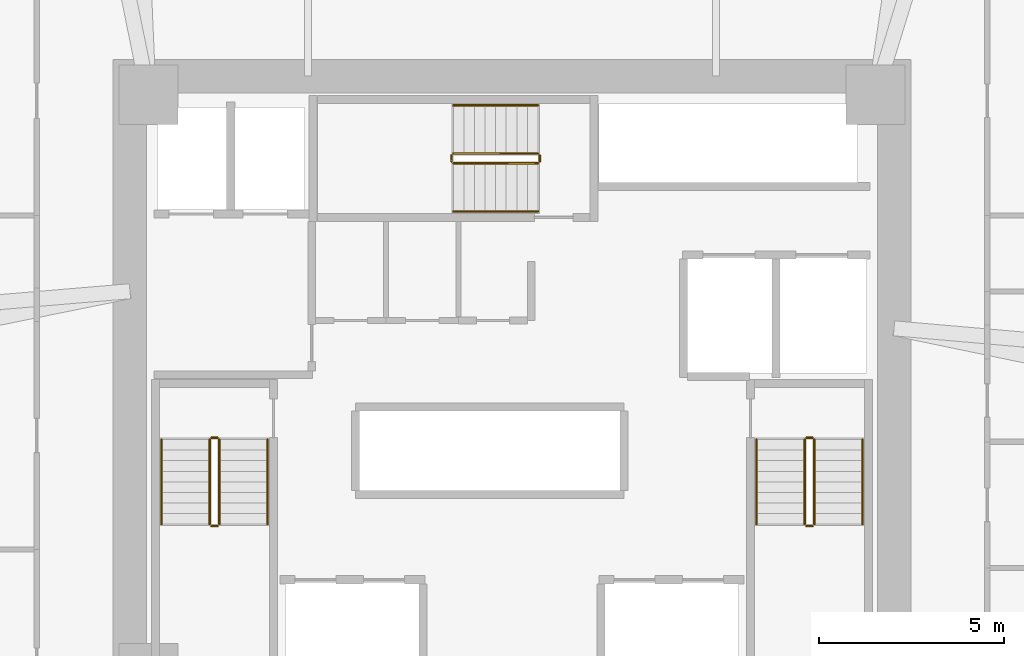
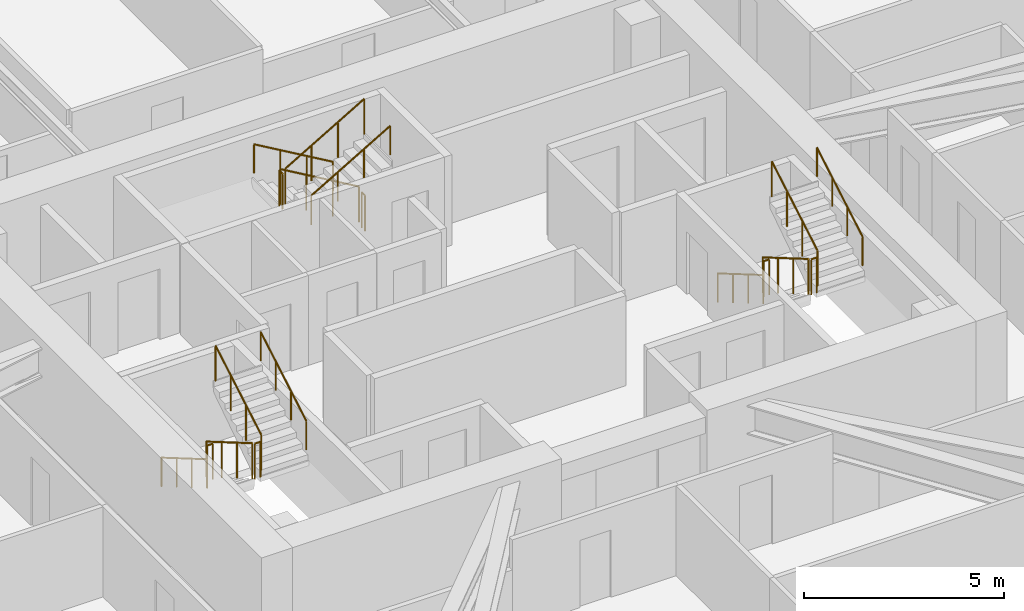
# One storey, part 18 of 18: 18 railings.
"""IFC4 building model written with IfcOpenShell, lengths in metres."""

from ifc_helpers import new_model, si_unit, direction, frame, origin, origin_2d, place, context, subcontext, project, spatial, circle, extrude, material, type_object, element, save


model = new_model("IFC4")

# Units and contexts
model_context = context("Model", 3, precision=1e-05, world=origin(), true_north=direction((0.0, 1.0)))
body_context = subcontext(model_context, "Body", "Model", "MODEL_VIEW")
ifc_project = project(units=[si_unit("LENGTHUNIT", "METRE"), si_unit("AREAUNIT", "SQUARE_METRE"), si_unit("VOLUMEUNIT", "CUBIC_METRE"), si_unit("PLANEANGLEUNIT", "RADIAN"), si_unit("MASSUNIT", "GRAM", prefix="KILO")], contexts=[model_context])

# Site, building, storey
site_placement = place(None, origin())
site = spatial("IfcSite", under=ifc_project, at=site_placement, CompositionType="ELEMENT")
building_placement = place(site_placement, origin())
building = spatial("IfcBuilding", under=site, at=building_placement, Name="Durnholm Broadcast Tower", CompositionType="ELEMENT")
storey_placement = place(building_placement, frame((0.0, 0.0, 78.300048828125)))
storey = spatial("IfcBuildingStorey", under=building, at=storey_placement, Name="L20", CompositionType="ELEMENT", Elevation=78.300048828125)

# Railings
ifc_material_1 = material(Name="Painted Tubular Steel Stair Guardrail", Category="steel")
railing_type_1 = type_object("IfcRailingType", Name="RAIL-ST-GRD", PredefinedType="GUARDRAIL", material=ifc_material_1)
railing_1_placement = place(storey_placement, frame((-8.14990234375, -1.5, 0.16650390625)))
element("IfcRailing", 1, at=railing_1_placement, inside=storey, type_object=railing_type_1, Name="L20 ST-1 stair guard 1", PredefinedType="GUARDRAIL", context=body_context, shape_type="SweptSolid", body=[
    extrude(circle(Radius=0.02392578125, at=origin_2d()), frame((0.0, 0.0, 1.076171875), z_axis=(0.0, -0.863205083432, 0.504853428173), x_axis=(1.0, 0.0, 0.0)), (0.0, 0.0, 1.0), 2.641357421875),
    extrude(circle(Radius=0.02099609375, at=origin_2d()), origin(), (0.0, 0.0, 1.0), 1.052001953125),
    extrude(circle(Radius=0.02099609375, at=origin_2d()), frame((0.0, -0.760009765625, 0.444580078125)), (0.0, 0.0, 1.0), 1.052001953125),
    extrude(circle(Radius=0.02099609375, at=origin_2d()), frame((0.0, -1.52001953125, 0.888916015625)), (0.0, 0.0, 1.0), 1.052001953125),
    extrude(circle(Radius=0.02099609375, at=origin_2d()), frame((0.0, -2.280029296875, 1.33349609375)), (0.0, 0.0, 1.0), 1.052001953125),
])
railing_2_placement = place(storey_placement, frame((-8.10009765625, -3.830078125, 1.5)))
element("IfcRailing", 2, at=railing_2_placement, inside=storey, type_object=railing_type_1, Name="L20 ST-1 stair guard 2", PredefinedType="GUARDRAIL", context=body_context, shape_type="SweptSolid", body=[
    extrude(circle(Radius=0.02392578125, at=origin_2d()), frame((0.0, 0.0, 1.076171875), z_axis=(1.0, 0.0, 0.0), x_axis=(0.0, 1.0, 0.0)), (0.0, 0.0, 1.0), 0.16015625),
    extrude(circle(Radius=0.02099609375, at=origin_2d()), origin(), (0.0, 0.0, 1.0), 1.052001953125),
    extrude(circle(Radius=0.02099609375, at=origin_2d()), frame((0.16015625, 0.0, 0.0)), (0.0, 0.0, 1.0), 1.052001953125),
])
railing_3_placement = place(storey_placement, frame((-7.889892578125, -3.780029296875, 1.66650390625)))
element("IfcRailing", 3, at=railing_3_placement, inside=storey, type_object=railing_type_1, Name="L20 ST-1 stair guard 3", PredefinedType="GUARDRAIL", context=body_context, shape_type="SweptSolid", body=[
    extrude(circle(Radius=0.02392578125, at=origin_2d()), frame((0.0, 0.0, 1.076171875), z_axis=(0.0, 0.863205083432, 0.504853428173), x_axis=(-1.0, 0.0, 0.0)), (0.0, 0.0, 1.0), 2.641357421875),
    extrude(circle(Radius=0.02099609375, at=origin_2d()), origin(), (0.0, 0.0, 1.0), 1.052001953125),
    extrude(circle(Radius=0.02099609375, at=origin_2d()), frame((0.0, 0.760009765625, 0.444580078125)), (0.0, 0.0, 1.0), 1.052001953125),
    extrude(circle(Radius=0.02099609375, at=origin_2d()), frame((0.0, 1.52001953125, 0.888916015625)), (0.0, 0.0, 1.0), 1.052001953125),
    extrude(circle(Radius=0.02099609375, at=origin_2d()), frame((0.0, 2.280029296875, 1.33349609375)), (0.0, 0.0, 1.0), 1.052001953125),
])
railing_4_placement = place(storey_placement, frame((-8.10009765625, -1.449951171875, 0.0)))
element("IfcRailing", 4, at=railing_4_placement, inside=storey, type_object=railing_type_1, Name="L20 ST-1 stair guard 4", PredefinedType="GUARDRAIL", context=body_context, shape_type="SweptSolid", body=[
    extrude(circle(Radius=0.02392578125, at=origin_2d()), frame((0.0, 0.0, 1.076171875), z_axis=(1.0, 0.0, 0.0), x_axis=(0.0, 1.0, 0.0)), (0.0, 0.0, 1.0), 0.16015625),
    extrude(circle(Radius=0.02099609375, at=origin_2d()), origin(), (0.0, 0.0, 1.0), 1.052001953125),
    extrude(circle(Radius=0.02099609375, at=origin_2d()), frame((0.16015625, 0.0, 0.0)), (0.0, 0.0, 1.0), 1.052001953125),
])
railing_5_placement = place(storey_placement, frame((7.889892578125, -1.5, 0.16650390625)))
element("IfcRailing", 5, at=railing_5_placement, inside=storey, type_object=railing_type_1, Name="L20 ST-2 stair guard 1", PredefinedType="GUARDRAIL", context=body_context, shape_type="SweptSolid", body=[
    extrude(circle(Radius=0.02392578125, at=origin_2d()), frame((0.0, 0.0, 1.076171875), z_axis=(0.0, -0.863205083432, 0.504853428173), x_axis=(1.0, 0.0, 0.0)), (0.0, 0.0, 1.0), 2.641357421875),
    extrude(circle(Radius=0.02099609375, at=origin_2d()), origin(), (0.0, 0.0, 1.0), 1.052001953125),
    extrude(circle(Radius=0.02099609375, at=origin_2d()), frame((0.0, -0.760009765625, 0.444580078125)), (0.0, 0.0, 1.0), 1.052001953125),
    extrude(circle(Radius=0.02099609375, at=origin_2d()), frame((0.0, -1.52001953125, 0.888916015625)), (0.0, 0.0, 1.0), 1.052001953125),
    extrude(circle(Radius=0.02099609375, at=origin_2d()), frame((0.0, -2.280029296875, 1.33349609375)), (0.0, 0.0, 1.0), 1.052001953125),
])
railing_6_placement = place(storey_placement, frame((7.93994140625, -3.830078125, 1.5)))
element("IfcRailing", 6, at=railing_6_placement, inside=storey, type_object=railing_type_1, Name="L20 ST-2 stair guard 2", PredefinedType="GUARDRAIL", context=body_context, shape_type="SweptSolid", body=[
    extrude(circle(Radius=0.02392578125, at=origin_2d()), frame((0.0, 0.0, 1.076171875), z_axis=(1.0, 0.0, 0.0), x_axis=(0.0, 1.0, 0.0)), (0.0, 0.0, 1.0), 0.16015625),
    extrude(circle(Radius=0.02099609375, at=origin_2d()), origin(), (0.0, 0.0, 1.0), 1.052001953125),
    extrude(circle(Radius=0.02099609375, at=origin_2d()), frame((0.16015625, 0.0, 0.0)), (0.0, 0.0, 1.0), 1.052001953125),
])
railing_7_placement = place(storey_placement, frame((8.14990234375, -3.780029296875, 1.66650390625)))
element("IfcRailing", 7, at=railing_7_placement, inside=storey, type_object=railing_type_1, Name="L20 ST-2 stair guard 3", PredefinedType="GUARDRAIL", context=body_context, shape_type="SweptSolid", body=[
    extrude(circle(Radius=0.02392578125, at=origin_2d()), frame((0.0, 0.0, 1.076171875), z_axis=(0.0, 0.863205083432, 0.504853428173), x_axis=(-1.0, 0.0, 0.0)), (0.0, 0.0, 1.0), 2.641357421875),
    extrude(circle(Radius=0.02099609375, at=origin_2d()), origin(), (0.0, 0.0, 1.0), 1.052001953125),
    extrude(circle(Radius=0.02099609375, at=origin_2d()), frame((0.0, 0.760009765625, 0.444580078125)), (0.0, 0.0, 1.0), 1.052001953125),
    extrude(circle(Radius=0.02099609375, at=origin_2d()), frame((0.0, 1.52001953125, 0.888916015625)), (0.0, 0.0, 1.0), 1.052001953125),
    extrude(circle(Radius=0.02099609375, at=origin_2d()), frame((0.0, 2.280029296875, 1.33349609375)), (0.0, 0.0, 1.0), 1.052001953125),
])
railing_8_placement = place(storey_placement, frame((7.93994140625, -1.449951171875, 0.0)))
element("IfcRailing", 8, at=railing_8_placement, inside=storey, type_object=railing_type_1, Name="L20 ST-2 stair guard 4", PredefinedType="GUARDRAIL", context=body_context, shape_type="SweptSolid", body=[
    extrude(circle(Radius=0.02392578125, at=origin_2d()), frame((0.0, 0.0, 1.076171875), z_axis=(1.0, 0.0, 0.0), x_axis=(0.0, 1.0, 0.0)), (0.0, 0.0, 1.0), 0.16015625),
    extrude(circle(Radius=0.02099609375, at=origin_2d()), origin(), (0.0, 0.0, 1.0), 1.052001953125),
    extrude(circle(Radius=0.02099609375, at=origin_2d()), frame((0.16015625, 0.0, 0.0)), (0.0, 0.0, 1.0), 1.052001953125),
])
railing_9_placement = place(storey_placement, frame((0.699951171875, 6.2099609375, 0.16650390625)))
element("IfcRailing", 9, at=railing_9_placement, inside=storey, type_object=railing_type_1, Name="L20 ST-3 stair guard 1", PredefinedType="GUARDRAIL", context=body_context, shape_type="SweptSolid", body=[
    extrude(circle(Radius=0.02392578125, at=origin_2d()), frame((0.0, 0.0, 1.076171875), z_axis=(-0.863205083432, 0.0, 0.504853428173), x_axis=(0.0, -1.0, 0.0)), (0.0, 0.0, 1.0), 2.641357421875),
    extrude(circle(Radius=0.02099609375, at=origin_2d()), origin(), (0.0, 0.0, 1.0), 1.052001953125),
    extrude(circle(Radius=0.02099609375, at=origin_2d()), frame((-0.760009765625, 0.0, 0.444580078125)), (0.0, 0.0, 1.0), 1.052001953125),
    extrude(circle(Radius=0.02099609375, at=origin_2d()), frame((-1.52001953125, 0.0, 0.888916015625)), (0.0, 0.0, 1.0), 1.052001953125),
    extrude(circle(Radius=0.02099609375, at=origin_2d()), frame((-2.280029296875, 0.0, 1.33349609375)), (0.0, 0.0, 1.0), 1.052001953125),
])
railing_10_placement = place(storey_placement, frame((-1.6298828125, 6.159912109375, 1.5)))
element("IfcRailing", 10, at=railing_10_placement, inside=storey, type_object=railing_type_1, Name="L20 ST-3 stair guard 2", PredefinedType="GUARDRAIL", context=body_context, shape_type="SweptSolid", body=[
    extrude(circle(Radius=0.02392578125, at=origin_2d()), frame((0.0, 0.0, 1.076171875), z_axis=(0.0, -1.0, 0.0), x_axis=(1.0, 0.0, 0.0)), (0.0, 0.0, 1.0), 0.159912109375),
    extrude(circle(Radius=0.02099609375, at=origin_2d()), origin(), (0.0, 0.0, 1.0), 1.052001953125),
    extrude(circle(Radius=0.02099609375, at=origin_2d()), frame((0.0, -0.159912109375, 0.0)), (0.0, 0.0, 1.0), 1.052001953125),
])
railing_11_placement = place(storey_placement, frame((-1.580078125, 5.949951171875, 1.66650390625)))
element("IfcRailing", 11, at=railing_11_placement, inside=storey, type_object=railing_type_1, Name="L20 ST-3 stair guard 3", PredefinedType="GUARDRAIL", context=body_context, shape_type="SweptSolid", body=[
    extrude(circle(Radius=0.02392578125, at=origin_2d()), frame((0.0, 0.0, 1.076171875), z_axis=(0.863205083432, 0.0, 0.504853428173), x_axis=(0.0, 1.0, 0.0)), (0.0, 0.0, 1.0), 2.641357421875),
    extrude(circle(Radius=0.02099609375, at=origin_2d()), origin(), (0.0, 0.0, 1.0), 1.052001953125),
    extrude(circle(Radius=0.02099609375, at=origin_2d()), frame((0.760009765625, 0.0, 0.444580078125)), (0.0, 0.0, 1.0), 1.052001953125),
    extrude(circle(Radius=0.02099609375, at=origin_2d()), frame((1.52001953125, 0.0, 0.888916015625)), (0.0, 0.0, 1.0), 1.052001953125),
    extrude(circle(Radius=0.02099609375, at=origin_2d()), frame((2.280029296875, 0.0, 1.33349609375)), (0.0, 0.0, 1.0), 1.052001953125),
])
railing_12_placement = place(storey_placement, frame((0.75, 6.159912109375, 0.0)))
element("IfcRailing", 12, at=railing_12_placement, inside=storey, type_object=railing_type_1, Name="L20 ST-3 stair guard 4", PredefinedType="GUARDRAIL", context=body_context, shape_type="SweptSolid", body=[
    extrude(circle(Radius=0.02392578125, at=origin_2d()), frame((0.0, 0.0, 1.076171875), z_axis=(0.0, -1.0, 0.0), x_axis=(1.0, 0.0, 0.0)), (0.0, 0.0, 1.0), 0.159912109375),
    extrude(circle(Radius=0.02099609375, at=origin_2d()), origin(), (0.0, 0.0, 1.0), 1.052001953125),
    extrude(circle(Radius=0.02099609375, at=origin_2d()), frame((0.0, -0.159912109375, 0.0)), (0.0, 0.0, 1.0), 1.052001953125),
])
ifc_material_2 = material(Name="Brushed Stainless Steel Handrail", Category="steel")
railing_type_2 = type_object("IfcRailingType", Name="RAIL-ST-HND", PredefinedType="HANDRAIL", material=ifc_material_2)
railing_13_placement = place(storey_placement, frame((-9.449951171875, -1.5, 0.333251953125)))
element("IfcRailing", 13, at=railing_13_placement, inside=storey, type_object=railing_type_2, Name="L20 ST-1 stair handrail 1", PredefinedType="HANDRAIL", context=body_context, shape_type="SweptSolid", body=[
    extrude(circle(Radius=0.02392578125, at=origin_2d()), frame((0.0, 0.0, 0.8759765625), z_axis=(0.0, -0.863245362884, 0.504784551527), x_axis=(1.0, 0.0, 0.0)), (0.0, 0.0, 1.0), 2.64111328125),
    extrude(circle(Radius=0.02099609375, at=origin_2d()), origin(), (0.0, 0.0, 1.0), 0.851806640625),
    extrude(circle(Radius=0.02099609375, at=origin_2d()), frame((0.0, -0.760009765625, 0.4443359375)), (0.0, 0.0, 1.0), 0.851806640625),
    extrude(circle(Radius=0.02099609375, at=origin_2d()), frame((0.0, -1.52001953125, 0.888916015625)), (0.0, 0.0, 1.0), 0.851806640625),
    extrude(circle(Radius=0.02099609375, at=origin_2d()), frame((0.0, -2.280029296875, 1.333251953125)), (0.0, 0.0, 1.0), 0.851806640625),
])
railing_14_placement = place(storey_placement, frame((-6.590087890625, -3.780029296875, 1.833251953125)))
element("IfcRailing", 14, at=railing_14_placement, inside=storey, type_object=railing_type_2, Name="L20 ST-1 stair handrail 2", PredefinedType="HANDRAIL", context=body_context, shape_type="SweptSolid", body=[
    extrude(circle(Radius=0.02392578125, at=origin_2d()), frame((0.0, 0.0, 0.8759765625), z_axis=(0.0, 0.863245362884, 0.504784551527), x_axis=(-1.0, 0.0, 0.0)), (0.0, 0.0, 1.0), 2.64111328125),
    extrude(circle(Radius=0.02099609375, at=origin_2d()), origin(), (0.0, 0.0, 1.0), 0.851806640625),
    extrude(circle(Radius=0.02099609375, at=origin_2d()), frame((0.0, 0.760009765625, 0.4443359375)), (0.0, 0.0, 1.0), 0.851806640625),
    extrude(circle(Radius=0.02099609375, at=origin_2d()), frame((0.0, 1.52001953125, 0.888916015625)), (0.0, 0.0, 1.0), 0.851806640625),
    extrude(circle(Radius=0.02099609375, at=origin_2d()), frame((0.0, 2.280029296875, 1.333251953125)), (0.0, 0.0, 1.0), 0.851806640625),
])
railing_15_placement = place(storey_placement, frame((6.590087890625, -1.5, 0.333251953125)))
element("IfcRailing", 15, at=railing_15_placement, inside=storey, type_object=railing_type_2, Name="L20 ST-2 stair handrail 1", PredefinedType="HANDRAIL", context=body_context, shape_type="SweptSolid", body=[
    extrude(circle(Radius=0.02392578125, at=origin_2d()), frame((0.0, 0.0, 0.8759765625), z_axis=(0.0, -0.863245362884, 0.504784551527), x_axis=(1.0, 0.0, 0.0)), (0.0, 0.0, 1.0), 2.64111328125),
    extrude(circle(Radius=0.02099609375, at=origin_2d()), origin(), (0.0, 0.0, 1.0), 0.851806640625),
    extrude(circle(Radius=0.02099609375, at=origin_2d()), frame((0.0, -0.760009765625, 0.4443359375)), (0.0, 0.0, 1.0), 0.851806640625),
    extrude(circle(Radius=0.02099609375, at=origin_2d()), frame((0.0, -1.52001953125, 0.888916015625)), (0.0, 0.0, 1.0), 0.851806640625),
    extrude(circle(Radius=0.02099609375, at=origin_2d()), frame((0.0, -2.280029296875, 1.333251953125)), (0.0, 0.0, 1.0), 0.851806640625),
])
railing_16_placement = place(storey_placement, frame((9.449951171875, -3.780029296875, 1.833251953125)))
element("IfcRailing", 16, at=railing_16_placement, inside=storey, type_object=railing_type_2, Name="L20 ST-2 stair handrail 2", PredefinedType="HANDRAIL", context=body_context, shape_type="SweptSolid", body=[
    extrude(circle(Radius=0.02392578125, at=origin_2d()), frame((0.0, 0.0, 0.8759765625), z_axis=(0.0, 0.863245362884, 0.504784551527), x_axis=(-1.0, 0.0, 0.0)), (0.0, 0.0, 1.0), 2.64111328125),
    extrude(circle(Radius=0.02099609375, at=origin_2d()), origin(), (0.0, 0.0, 1.0), 0.851806640625),
    extrude(circle(Radius=0.02099609375, at=origin_2d()), frame((0.0, 0.760009765625, 0.4443359375)), (0.0, 0.0, 1.0), 0.851806640625),
    extrude(circle(Radius=0.02099609375, at=origin_2d()), frame((0.0, 1.52001953125, 0.888916015625)), (0.0, 0.0, 1.0), 0.851806640625),
    extrude(circle(Radius=0.02099609375, at=origin_2d()), frame((0.0, 2.280029296875, 1.333251953125)), (0.0, 0.0, 1.0), 0.851806640625),
])
railing_17_placement = place(storey_placement, frame((0.699951171875, 7.510009765625, 0.333251953125)))
element("IfcRailing", 17, at=railing_17_placement, inside=storey, type_object=railing_type_2, Name="L20 ST-3 stair handrail 1", PredefinedType="HANDRAIL", context=body_context, shape_type="SweptSolid", body=[
    extrude(circle(Radius=0.02392578125, at=origin_2d()), frame((0.0, 0.0, 0.8759765625), z_axis=(-0.863245362884, 0.0, 0.504784551527), x_axis=(0.0, -1.0, 0.0)), (0.0, 0.0, 1.0), 2.64111328125),
    extrude(circle(Radius=0.02099609375, at=origin_2d()), origin(), (0.0, 0.0, 1.0), 0.851806640625),
    extrude(circle(Radius=0.02099609375, at=origin_2d()), frame((-0.760009765625, 0.0, 0.4443359375)), (0.0, 0.0, 1.0), 0.851806640625),
    extrude(circle(Radius=0.02099609375, at=origin_2d()), frame((-1.52001953125, 0.0, 0.888916015625)), (0.0, 0.0, 1.0), 0.851806640625),
    extrude(circle(Radius=0.02099609375, at=origin_2d()), frame((-2.280029296875, 0.0, 1.333251953125)), (0.0, 0.0, 1.0), 0.851806640625),
])
railing_18_placement = place(storey_placement, frame((-1.580078125, 4.64990234375, 1.833251953125)))
element("IfcRailing", 18, at=railing_18_placement, inside=storey, type_object=railing_type_2, Name="L20 ST-3 stair handrail 2", PredefinedType="HANDRAIL", context=body_context, shape_type="SweptSolid", body=[
    extrude(circle(Radius=0.02392578125, at=origin_2d()), frame((0.0, 0.0, 0.8759765625), z_axis=(0.863245362884, 0.0, 0.504784551527), x_axis=(0.0, 1.0, 0.0)), (0.0, 0.0, 1.0), 2.64111328125),
    extrude(circle(Radius=0.02099609375, at=origin_2d()), origin(), (0.0, 0.0, 1.0), 0.851806640625),
    extrude(circle(Radius=0.02099609375, at=origin_2d()), frame((0.760009765625, 0.0, 0.4443359375)), (0.0, 0.0, 1.0), 0.851806640625),
    extrude(circle(Radius=0.02099609375, at=origin_2d()), frame((1.52001953125, 0.0, 0.888916015625)), (0.0, 0.0, 1.0), 0.851806640625),
    extrude(circle(Radius=0.02099609375, at=origin_2d()), frame((2.280029296875, 0.0, 1.333251953125)), (0.0, 0.0, 1.0), 0.851806640625),
])

save(model, "model.ifc")
